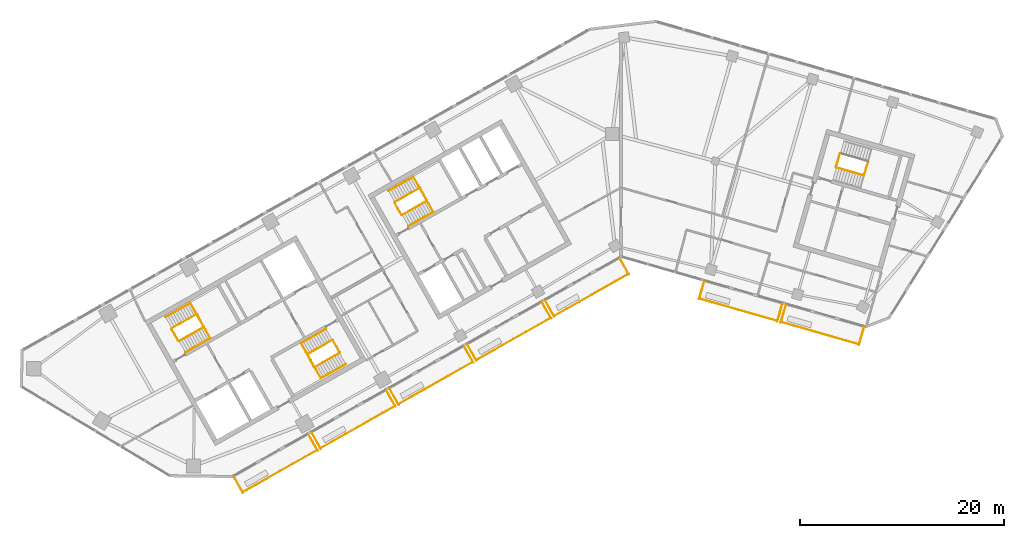
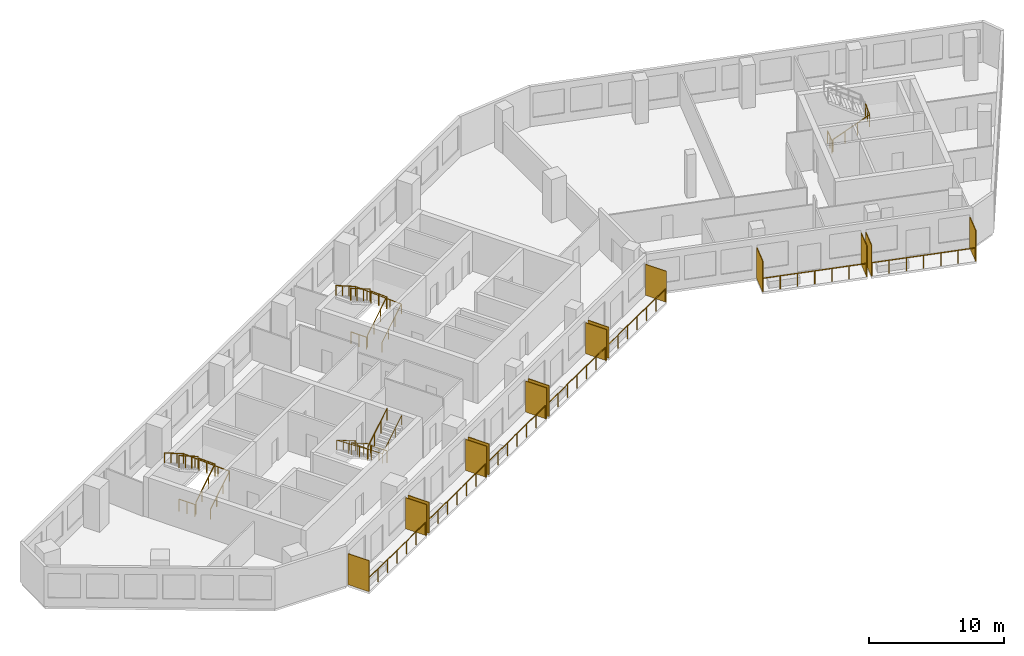
# One storey, part 10 of 12: 21 railings, 14 shading devices.
"""IFC4 building model written with IfcOpenShell, lengths in metres."""

import ifcopenshell
import ifcopenshell.guid

model = None  # the IFC model being written
_history = None  # IfcOwnerHistory: only IFC2X3 demands one
_inside = {}  # id of a spatial element -> (the spatial element, [elements in it])
_under = {}  # id of a project, library or spatial element -> (it, [spatial elements below it])
_declared = {}  # id of a project -> (the project, [libraries it declares])
_typed = {}  # id of a type object -> (the type object, [elements of that type])
_made_of = {}  # id of a material, layer set ... -> (it, [elements and type objects made of it])


def new_model(schema):
    """Start an empty IFC model of exactly this schema.

    Asked for "IFC4X3", IfcOpenShell would pick the latest addendum, in which some entities
    have other attributes; the version numbers below select the first issue.
    IFC2X3 requires an IfcOwnerHistory on every rooted entity: one is made here for all.
    """
    global model, _history
    if schema == "IFC4X3":
        model = ifcopenshell.file(schema_version=(4, 3, 0, 0))
    else:
        model = ifcopenshell.file(schema=schema)
    _inside.clear()
    _under.clear()
    _declared.clear()
    _typed.clear()
    _made_of.clear()
    _history = None
    if model.schema == "IFC2X3":
        org = make("IfcOrganization", Name="unknown")
        user = make(
            "IfcPersonAndOrganization",
            ThePerson=make("IfcPerson", FamilyName="unknown"),
            TheOrganization=org,
        )
        app = make(
            "IfcApplication",
            ApplicationDeveloper=org,
            Version="unknown",
            ApplicationFullName="unknown",
            ApplicationIdentifier="unknown",
        )
        _history = make(
            "IfcOwnerHistory",
            OwningUser=user,
            OwningApplication=app,
            ChangeAction="ADDED",
            CreationDate=0,
        )
    return model


def make(cls, **values):
    """One entity of the class cls with the attributes given. An attribute that is None is left unset."""
    return model.create_entity(
        cls, **{name: value for name, value in values.items() if value is not None}
    )


def rooted(cls, **values):
    """An entity with a GlobalId (a new one), such as an element, a storey or a relation."""
    return make(cls, GlobalId=ifcopenshell.guid.new(), OwnerHistory=_history, **values)


def si_unit(unit_type, name, prefix=None):
    """IfcSIUnit, for example si_unit("LENGTHUNIT", "METRE", prefix="MILLI")."""
    return make("IfcSIUnit", UnitType=unit_type, Prefix=prefix, Name=name)


def assignment(units):
    """IfcUnitAssignment: the units of a project."""
    return None if units is None else make("IfcUnitAssignment", Units=units)


def point(xyz):
    """IfcCartesianPoint."""
    return None if xyz is None else make("IfcCartesianPoint", Coordinates=xyz)


def direction(xyz):
    """IfcDirection."""
    return None if xyz is None else make("IfcDirection", DirectionRatios=xyz)


def frame(location, z_axis=None, x_axis=None):
    """IfcAxis2Placement3D, a coordinate frame: its origin and axes. An axis left out is left unset."""
    return make(
        "IfcAxis2Placement3D",
        Location=point(location),
        Axis=direction(z_axis),
        RefDirection=direction(x_axis),
    )


def frame_2d(location, x_axis=None):
    """IfcAxis2Placement2D, a coordinate frame in the plane: its origin and x axis."""
    return make(
        "IfcAxis2Placement2D", Location=point(location), RefDirection=direction(x_axis)
    )


def origin():
    """The frame at (0, 0, 0) with its axes left unset."""
    return frame((0.0, 0.0, 0.0))


def origin_2d():
    """The frame at (0, 0) in the plane with its x axis left unset."""
    return frame_2d((0.0, 0.0))


def place(relative_to, where):
    """IfcLocalPlacement: puts the frame where relative to a parent placement (None: the world)."""
    return make(
        "IfcLocalPlacement", PlacementRelTo=relative_to, RelativePlacement=where
    )


def context(
    kind, dimensions, precision=None, world=None, true_north=None, identifier=None
):
    """IfcGeometricRepresentationContext, for example the 3D "Model" context."""
    return make(
        "IfcGeometricRepresentationContext",
        ContextIdentifier=identifier,
        ContextType=kind,
        CoordinateSpaceDimension=dimensions,
        Precision=precision,
        WorldCoordinateSystem=world,
        TrueNorth=true_north,
    )


def subcontext(parent, identifier, kind, view, scale=None):
    """IfcGeometricRepresentationSubContext, for example "Body" below "Model"."""
    return make(
        "IfcGeometricRepresentationSubContext",
        ContextIdentifier=identifier,
        ContextType=kind,
        ParentContext=parent,
        TargetScale=scale,
        TargetView=view,
    )


def project(units=None, contexts=None):
    """IfcProject with its units and contexts."""
    return rooted(
        "IfcProject",
        Name="project",
        RepresentationContexts=contexts,
        UnitsInContext=assignment(units),
    )


def spatial(cls, under=None, at=None, **own):
    """A site, building, storey or space (cls), placed at a placement, below another one or the project."""
    s = rooted(cls, ObjectPlacement=at, **own)
    if under is not None:
        _under.setdefault(under.id(), (under, []))[1].append(s)
    return s


def profile(cls, at=None, kind="AREA", **sizes):
    """A parametric profile (cls). Its sizes go by their IFC names, for example OverallWidth=200.0."""
    return make(cls, ProfileType=kind, Position=at, **sizes)


def rectangle(**sizes):
    """IfcRectangleProfileDef."""
    return profile("IfcRectangleProfileDef", **sizes)


def circle(**sizes):
    """IfcCircleProfileDef."""
    return profile("IfcCircleProfileDef", **sizes)


def extrude(swept, where, along, depth):
    """IfcExtrudedAreaSolid: the profile swept, set in the frame where, extruded along a direction by depth."""
    return make(
        "IfcExtrudedAreaSolid",
        SweptArea=swept,
        Position=where,
        ExtrudedDirection=direction(along),
        Depth=depth,
    )


def shape(context_of_items, identifier, shape_type, items):
    """IfcShapeRepresentation: the items that make up one representation, for example the "Body"."""
    return make(
        "IfcShapeRepresentation",
        ContextOfItems=context_of_items,
        RepresentationIdentifier=identifier,
        RepresentationType=shape_type,
        Items=items,
    )


def material(Name=None, Category=None):
    """IfcMaterial."""
    return make("IfcMaterial", Name=Name, Category=Category)


def layer(
    of_material, thickness, ventilated=None, Name=None, Category=None, Priority=None
):
    """IfcMaterialLayer: one layer of a wall or slab, of a material (None: an air gap)."""
    return make(
        "IfcMaterialLayer",
        Material=of_material,
        LayerThickness=thickness,
        IsVentilated=ventilated,
        Name=Name,
        Category=Category,
        Priority=Priority,
    )


def layer_set(layers, Name=None):
    """IfcMaterialLayerSet."""
    return make("IfcMaterialLayerSet", MaterialLayers=layers, LayerSetName=Name)


def made_of(thing, what):
    """Note that an element or type object is made of a material, layer set ...; save() writes the relation."""
    if what is not None:
        _made_of.setdefault(what.id(), (what, []))[1].append(thing)
    return thing


def type_object(cls, material=None, **own):
    """A type object (cls), such as IfcWallType, which elements share."""
    return made_of(rooted(cls, **own), material)


def element(
    cls,
    number,
    at=None,
    inside=None,
    cuts=None,
    type_object=None,
    material=None,
    context=None,
    identifier="Body",
    shape_type=None,
    held_by="IfcProductDefinitionShape",
    body=None,
    shapes=None,
    **own,
):
    """One element of the class cls, such as IfcWall. Its Tag is "e" and its number.

    at: its placement. inside: the storey or other place that contains it. cuts: it is an
    opening in that element (IfcRelVoidsElement). A single representation is given by context,
    identifier, shape_type and body (its items); several are given by shapes. held_by: the class
    of the entity that holds the representations. save() writes the other relations.
    """
    e = rooted(cls, Tag="e%d" % number, ObjectPlacement=at, **own)
    if body is not None:
        shapes = [shape(context, identifier, shape_type, body)]
    if shapes is not None:
        e.Representation = make(held_by, Representations=shapes)
    if inside is not None:
        _inside.setdefault(inside.id(), (inside, []))[1].append(e)
    if cuts is not None:
        rooted(
            "IfcRelVoidsElement", RelatingBuildingElement=cuts, RelatedOpeningElement=e
        )
    if type_object is not None:
        _typed.setdefault(type_object.id(), (type_object, []))[1].append(e)
    return made_of(e, material)


def aggregate(whole, parts):
    """IfcRelAggregates: a whole, such as a stair, and the parts it consists of."""
    return rooted("IfcRelAggregates", RelatingObject=whole, RelatedObjects=parts)


def save(model, path):
    """Write the relations noted so far, then the file.

    IfcRelAggregates (storeys below a building ...), IfcRelContainedInSpatialStructure (elements
    in a storey), IfcRelDefinesByType, IfcRelAssociatesMaterial and IfcRelDeclares: one each for
    every whole, place, type object, material and project.
    """
    for whole, parts in _under.values():
        aggregate(whole, parts)
    for where, things in _inside.values():
        rooted(
            "IfcRelContainedInSpatialStructure",
            RelatedElements=things,
            RelatingStructure=where,
        )
    for kind, things in _typed.values():
        rooted("IfcRelDefinesByType", RelatedObjects=things, RelatingType=kind)
    for what, things in _made_of.values():
        rooted("IfcRelAssociatesMaterial", RelatedObjects=things, RelatingMaterial=what)
    for by, libraries in _declared.values():
        rooted("IfcRelDeclares", RelatingContext=by, RelatedDefinitions=libraries)
    model.write(path)


model = new_model("IFC4")

# Units and contexts
model_context = context("Model", 3, precision=1e-05, world=origin(), true_north=direction((0.0, 1.0)))
body_context = subcontext(model_context, "Body", "Model", "MODEL_VIEW")
ifc_project = project(units=[si_unit("LENGTHUNIT", "METRE"), si_unit("AREAUNIT", "SQUARE_METRE"), si_unit("VOLUMEUNIT", "CUBIC_METRE"), si_unit("PLANEANGLEUNIT", "RADIAN"), si_unit("MASSUNIT", "GRAM", prefix="KILO")], contexts=[model_context])

# Site, building, storey
site_placement = place(None, origin())
site = spatial("IfcSite", under=ifc_project, at=site_placement, CompositionType="ELEMENT")
building_placement = place(site_placement, origin())
building = spatial("IfcBuilding", under=site, at=building_placement, Name="Binnacle Exchange Tower", CompositionType="ELEMENT")
storey_placement = place(building_placement, frame((0.0, 0.0, 211.39990234375)))
storey = spatial("IfcBuildingStorey", under=building, at=storey_placement, Name="L46", CompositionType="ELEMENT", Elevation=211.39990234375)

# Railings
ifc_material_1 = material(Name="Bronze anodised aluminium frame", Category="aluminium")
railing_type_1 = type_object("IfcRailingType", Name="GUARD 1200", PredefinedType="GUARDRAIL", material=ifc_material_1)
railing_1_placement = place(storey_placement, frame((-37.006591796875, 24.94287109375, 0.0)))
element("IfcRailing", 1, at=railing_1_placement, inside=storey, type_object=railing_type_1, Name="Balcony guard G01-B00 L46", PredefinedType="GUARDRAIL", context=body_context, shape_type="SweptSolid", body=[
    extrude(circle(Radius=0.02392578125, at=origin_2d()), frame((0.0, 0.0, 1.17578125), z_axis=(0.870353267448, 0.492427852424, 0.0), x_axis=(-0.492427852424, 0.870353267448, 0.0)), (0.0, 0.0, 1.0), 8.334716796875),
    extrude(circle(Radius=0.02099609375, at=origin_2d()), origin(), (0.0, 0.0, 1.0), 1.15185546875),
    extrude(circle(Radius=0.02099609375, at=origin_2d()), frame((1.208984375, 0.68408203125, 0.0)), (0.0, 0.0, 1.0), 1.15185546875),
    extrude(circle(Radius=0.02099609375, at=origin_2d()), frame((2.41796875, 1.3681640625, 0.0)), (0.0, 0.0, 1.0), 1.15185546875),
    extrude(circle(Radius=0.02099609375, at=origin_2d()), frame((3.626953125, 2.05224609375, 0.0)), (0.0, 0.0, 1.0), 1.15185546875),
    extrude(circle(Radius=0.02099609375, at=origin_2d()), frame((4.836181640625, 2.736083984375, 0.0)), (0.0, 0.0, 1.0), 1.15185546875),
    extrude(circle(Radius=0.02099609375, at=origin_2d()), frame((6.045166015625, 3.420166015625, 0.0)), (0.0, 0.0, 1.0), 1.15185546875),
    extrude(circle(Radius=0.02099609375, at=origin_2d()), frame((7.254150390625, 4.104248046875, 0.0)), (0.0, 0.0, 1.0), 1.15185546875),
])
railing_2_placement = place(storey_placement, frame((-29.386962890625, 29.25390625, 0.0)))
element("IfcRailing", 2, at=railing_2_placement, inside=storey, type_object=railing_type_1, Name="Balcony guard G01-B01 L46", PredefinedType="GUARDRAIL", context=body_context, shape_type="SweptSolid", body=[
    extrude(circle(Radius=0.02392578125, at=origin_2d()), frame((0.0, 0.0, 1.17578125), z_axis=(0.870365821494, 0.492405662818, 0.0), x_axis=(-0.492405662818, 0.870365821494, 0.0)), (0.0, 0.0, 1.0), 8.334716796875),
    extrude(circle(Radius=0.02099609375, at=origin_2d()), origin(), (0.0, 0.0, 1.0), 1.15185546875),
    extrude(circle(Radius=0.02099609375, at=origin_2d()), frame((1.208984375, 0.68408203125, 0.0)), (0.0, 0.0, 1.0), 1.15185546875),
    extrude(circle(Radius=0.02099609375, at=origin_2d()), frame((2.41796875, 1.367919921875, 0.0)), (0.0, 0.0, 1.0), 1.15185546875),
    extrude(circle(Radius=0.02099609375, at=origin_2d()), frame((3.626953125, 2.052001953125, 0.0)), (0.0, 0.0, 1.0), 1.15185546875),
    extrude(circle(Radius=0.02099609375, at=origin_2d()), frame((4.836181640625, 2.736083984375, 0.0)), (0.0, 0.0, 1.0), 1.15185546875),
    extrude(circle(Radius=0.02099609375, at=origin_2d()), frame((6.045166015625, 3.419921875, 0.0)), (0.0, 0.0, 1.0), 1.15185546875),
    extrude(circle(Radius=0.02099609375, at=origin_2d()), frame((7.254150390625, 4.10400390625, 0.0)), (0.0, 0.0, 1.0), 1.15185546875),
])
for number, where, name in (
    (3, (-21.767333984375, 33.564697265625, 0.0), "Balcony guard G01-B02 L46"),
    (4, (-14.147705078125, 37.875732421875, 0.0), "Balcony guard G01-B03 L46"),
):
    element("IfcRailing", number, at=place(storey_placement, frame(where)), inside=storey, type_object=railing_type_1, Name=name, PredefinedType="GUARDRAIL", context=body_context, shape_type="SweptSolid", body=[
        extrude(circle(Radius=0.02392578125, at=origin_2d()), frame((0.0, 0.0, 1.17578125), z_axis=(0.8703461643, 0.49244040684, 0.0), x_axis=(-0.49244040684, 0.8703461643, 0.0)), (0.0, 0.0, 1.0), 8.33447265625),
        extrude(circle(Radius=0.02099609375, at=origin_2d()), origin(), (0.0, 0.0, 1.0), 1.15185546875),
        extrude(circle(Radius=0.02099609375, at=origin_2d()), frame((1.208984375, 0.68408203125, 0.0)), (0.0, 0.0, 1.0), 1.15185546875),
        extrude(circle(Radius=0.02099609375, at=origin_2d()), frame((2.41796875, 1.3681640625, 0.0)), (0.0, 0.0, 1.0), 1.15185546875),
        extrude(circle(Radius=0.02099609375, at=origin_2d()), frame((3.626953125, 2.05224609375, 0.0)), (0.0, 0.0, 1.0), 1.15185546875),
        extrude(circle(Radius=0.02099609375, at=origin_2d()), frame((4.8359375, 2.736083984375, 0.0)), (0.0, 0.0, 1.0), 1.15185546875),
        extrude(circle(Radius=0.02099609375, at=origin_2d()), frame((6.044921875, 3.420166015625, 0.0)), (0.0, 0.0, 1.0), 1.15185546875),
        extrude(circle(Radius=0.02099609375, at=origin_2d()), frame((7.25390625, 4.104248046875, 0.0)), (0.0, 0.0, 1.0), 1.15185546875),
    ])
railing_3_placement = place(storey_placement, frame((-6.5283203125, 42.186767578125, 0.0)))
element("IfcRailing", 5, at=railing_3_placement, inside=storey, type_object=railing_type_1, Name="Balcony guard G01-B04 L46", PredefinedType="GUARDRAIL", context=body_context, shape_type="SweptSolid", body=[
    extrude(circle(Radius=0.02392578125, at=origin_2d()), frame((0.0, 0.0, 1.17578125), z_axis=(0.870365821494, 0.492405662818, 0.0), x_axis=(-0.492405662818, 0.870365821494, 0.0)), (0.0, 0.0, 1.0), 8.334716796875),
    extrude(circle(Radius=0.02099609375, at=origin_2d()), origin(), (0.0, 0.0, 1.0), 1.15185546875),
    extrude(circle(Radius=0.02099609375, at=origin_2d()), frame((1.208984375, 0.68408203125, 0.0)), (0.0, 0.0, 1.0), 1.15185546875),
    extrude(circle(Radius=0.02099609375, at=origin_2d()), frame((2.41796875, 1.367919921875, 0.0)), (0.0, 0.0, 1.0), 1.15185546875),
    extrude(circle(Radius=0.02099609375, at=origin_2d()), frame((3.626953125, 2.052001953125, 0.0)), (0.0, 0.0, 1.0), 1.15185546875),
    extrude(circle(Radius=0.02099609375, at=origin_2d()), frame((4.836181640625, 2.736083984375, 0.0)), (0.0, 0.0, 1.0), 1.15185546875),
    extrude(circle(Radius=0.02099609375, at=origin_2d()), frame((6.045166015625, 3.419921875, 0.0)), (0.0, 0.0, 1.0), 1.15185546875),
    extrude(circle(Radius=0.02099609375, at=origin_2d()), frame((7.254150390625, 4.10400390625, 0.0)), (0.0, 0.0, 1.0), 1.15185546875),
])
railing_4_placement = place(storey_placement, frame((7.69140625, 43.875244140625, 0.0)))
element("IfcRailing", 6, at=railing_4_placement, inside=storey, type_object=railing_type_1, Name="Balcony guard G02-B01 L46", PredefinedType="GUARDRAIL", context=body_context, shape_type="SweptSolid", body=[
    extrude(circle(Radius=0.02392578125, at=origin_2d()), frame((0.0, 0.0, 1.17578125), z_axis=(0.961259965977, -0.275643388836, 0.0), x_axis=(0.275643388836, 0.961259965977, 0.0)), (0.0, 0.0, 1.0), 7.900634765625),
    extrude(circle(Radius=0.02099609375, at=origin_2d()), origin(), (0.0, 0.0, 1.0), 1.15185546875),
    extrude(circle(Radius=0.02099609375, at=origin_2d()), frame((1.265625, -0.363037109375, 0.0)), (0.0, 0.0, 1.0), 1.15185546875),
    extrude(circle(Radius=0.02099609375, at=origin_2d()), frame((2.531494140625, -0.725830078125, 0.0)), (0.0, 0.0, 1.0), 1.15185546875),
    extrude(circle(Radius=0.02099609375, at=origin_2d()), frame((3.79736328125, -1.0888671875, 0.0)), (0.0, 0.0, 1.0), 1.15185546875),
    extrude(circle(Radius=0.02099609375, at=origin_2d()), frame((5.06298828125, -1.451904296875, 0.0)), (0.0, 0.0, 1.0), 1.15185546875),
    extrude(circle(Radius=0.02099609375, at=origin_2d()), frame((6.32861328125, -1.814697265625, 0.0)), (0.0, 0.0, 1.0), 1.15185546875),
    extrude(circle(Radius=0.02099609375, at=origin_2d()), frame((7.594482421875, -2.177734375, 0.0)), (0.0, 0.0, 1.0), 1.15185546875),
])
railing_5_placement = place(storey_placement, frame((15.689453125, 41.581787109375, 0.0)))
element("IfcRailing", 7, at=railing_5_placement, inside=storey, type_object=railing_type_1, Name="Balcony guard G02-B02 L46", PredefinedType="GUARDRAIL", context=body_context, shape_type="SweptSolid", body=[
    extrude(circle(Radius=0.02392578125, at=origin_2d()), frame((0.0, 0.0, 1.17578125), z_axis=(0.961257617982, -0.275651576943, 0.0), x_axis=(0.275651576943, 0.961257617982, 0.0)), (0.0, 0.0, 1.0), 7.900390625),
    extrude(circle(Radius=0.02099609375, at=origin_2d()), origin(), (0.0, 0.0, 1.0), 1.15185546875),
    extrude(circle(Radius=0.02099609375, at=origin_2d()), frame((1.265625, -0.363037109375, 0.0)), (0.0, 0.0, 1.0), 1.15185546875),
    extrude(circle(Radius=0.02099609375, at=origin_2d()), frame((2.531494140625, -0.725830078125, 0.0)), (0.0, 0.0, 1.0), 1.15185546875),
    extrude(circle(Radius=0.02099609375, at=origin_2d()), frame((3.797119140625, -1.0888671875, 0.0)), (0.0, 0.0, 1.0), 1.15185546875),
    extrude(circle(Radius=0.02099609375, at=origin_2d()), frame((5.062744140625, -1.451904296875, 0.0)), (0.0, 0.0, 1.0), 1.15185546875),
    extrude(circle(Radius=0.02099609375, at=origin_2d()), frame((6.32861328125, -1.814697265625, 0.0)), (0.0, 0.0, 1.0), 1.15185546875),
    extrude(circle(Radius=0.02099609375, at=origin_2d()), frame((7.59423828125, -2.177734375, 0.0)), (0.0, 0.0, 1.0), 1.15185546875),
])

# Shading devices
ifc_material_2 = material(Name="Bronze aluminium louvre", Category="aluminium")
ifc_layer = layer(ifc_material_2, 0.06005859375)
ifc_layer_set = layer_set([ifc_layer], Name="PLANTED SCREEN 60x2800")
shading_device_type = type_object("IfcShadingDeviceType", Name="PLANTED SCREEN 60x2800", PredefinedType="USERDEFINED", material=ifc_layer_set)
for number, where, z_axis, x_axis, name in (
    (8, (-37.436279296875, 25.641845703125, 0.0), (0.0, 0.0, 1.0), (0.87035569594, 0.492423560103, 0.0), "Planted screen G01-B00a L46"),
    (9, (-30.130126953125, 29.775390625, 0.0), (0.0, 0.0, 1.0), (0.87035569594, 0.492423560103, 0.0), "Planted screen G01-B00b L46"),
    (10, (-29.81689453125, 29.95263671875, 0.0), (0.0, 0.0, 1.0), (0.87035569594, 0.492423560103, 0.0), "Planted screen G01-B01a L46"),
    (11, (-22.510498046875, 34.08642578125, 0.0), (0.0, 0.0, 1.0), (0.87035569594, 0.492423560103, 0.0), "Planted screen G01-B01b L46"),
    (12, (-22.197265625, 34.263671875, 0.0), (0.0, 0.0, 1.0), (0.87035569594, 0.492423560103, 0.0), "Planted screen G01-B02a L46"),
    (13, (-14.89111328125, 38.3974609375, 0.0), (0.0, 0.0, 1.0), (0.87035569594, 0.492423560103, 0.0), "Planted screen G01-B02b L46"),
    (14, (-14.57763671875, 38.57470703125, 0.0), (0.0, 0.0, 1.0), (0.87035569594, 0.492423560103, 0.0), "Planted screen G01-B03a L46"),
    (15, (-7.271484375, 42.70849609375, 0.0), (0.0, 0.0, 1.0), (0.87035569594, 0.492423560103, 0.0), "Planted screen G01-B03b L46"),
    (16, (-6.9580078125, 42.885498046875, 0.0), (0.0, 0.0, 1.0), (0.87035569594, 0.492423560103, 0.0), "Planted screen G01-B04a L46"),
    (17, (0.34814453125, 47.019287109375, 0.0), (0.0, 0.0, 1.0), (0.87035569594, 0.492423560103, 0.0), "Planted screen G01-B04b L46"),
    (18, (7.888671875, 44.671630859375, 0.0), (0.0, 0.0, 1.0), (0.961261695938, -0.275637355817, 0.0), "Planted screen G02-B01a L46"),
    (19, (15.54052734375, 42.4775390625, 0.0), (0.0, 0.0, 1.0), (0.961261695938, -0.275637355817, 0.0), "Planted screen G02-B01b L46"),
    (20, (15.88671875, 42.37841796875, 0.0), (0.0, 0.0, 1.0), (0.961261695938, -0.275637355817, 0.0), "Planted screen G02-B02a L46"),
    (21, (23.538818359375, 40.18408203125, 0.0), (0.0, 0.0, 1.0), (0.961261695938, -0.275637355817, 0.0), "Planted screen G02-B02b L46"),
):
    element("IfcShadingDevice", number, at=place(storey_placement, frame(where, z_axis=z_axis, x_axis=x_axis)), inside=storey, type_object=shading_device_type, Name=name, ObjectType="SCREEN", PredefinedType="USERDEFINED", context=body_context, shape_type="SweptSolid", body=[
        extrude(rectangle(XDim=0.06005859375, YDim=1.800048828125, at=origin_2d()), origin(), (0.0, 0.0, 1.0), 2.800048828125),
    ])

# Railings
ifc_material_3 = material(Name="Steel guard rail", Category="steel")
railing_type_2 = type_object("IfcRailingType", Name="STAIR GUARD 1100", PredefinedType="GUARDRAIL", material=ifc_material_3)
railing_6_placement = place(storey_placement, frame((-43.26171875, 39.71728515625, 0.177490234375)))
element("IfcRailing", 22, at=railing_6_placement, inside=storey, type_object=railing_type_2, Name="L46 STA1 stair guard 1", PredefinedType="GUARDRAIL", context=body_context, shape_type="SweptSolid", body=[
    extrude(circle(Radius=0.02392578125, at=origin_2d()), frame((0.0, 0.0, 1.076171875), z_axis=(0.735358749054, 0.416079564682, 0.534906819964), x_axis=(-0.492453686477, 0.870338650569, 0.0)), (0.0, 0.0, 1.0), 3.31396484375),
    extrude(circle(Radius=0.02392578125, at=origin_2d()), frame((2.43701171875, 1.37890625, 2.8486328125), z_axis=(-0.461100321709, 0.887348011391, 0.0), x_axis=(-0.887348011391, -0.461100321709, 0.0)), (0.0, 0.0, 1.0), 1.40087890625),
    extrude(circle(Radius=0.02099609375, at=origin_2d()), origin(), (0.0, 0.0, 1.0), 1.052001953125),
    extrude(circle(Radius=0.02099609375, at=origin_2d()), frame((0.812255859375, 0.459716796875, 0.5908203125)), (0.0, 0.0, 1.0), 1.052001953125),
    extrude(circle(Radius=0.02099609375, at=origin_2d()), frame((1.624755859375, 0.919189453125, 1.181884765625)), (0.0, 0.0, 1.0), 1.052001953125),
    extrude(circle(Radius=0.02099609375, at=origin_2d()), frame((2.43701171875, 1.37890625, 1.772705078125)), (0.0, 0.0, 1.0), 1.052001953125),
    extrude(circle(Radius=0.02099609375, at=origin_2d()), frame((2.114013671875, 2.00048828125, 1.772705078125)), (0.0, 0.0, 1.0), 1.052001953125),
    extrude(circle(Radius=0.02099609375, at=origin_2d()), frame((1.791015625, 2.6220703125, 1.772705078125)), (0.0, 0.0, 1.0), 1.052001953125),
])
railing_7_placement = place(storey_placement, frame((-41.538818359375, 42.358154296875, 2.12744140625)))
element("IfcRailing", 23, at=railing_7_placement, inside=storey, type_object=railing_type_2, Name="L46 STA1 stair guard 2", PredefinedType="GUARDRAIL", context=body_context, shape_type="SweptSolid", body=[
    extrude(circle(Radius=0.02392578125, at=origin_2d()), frame((0.0, 0.0, 1.076171875), z_axis=(-0.735358749054, -0.416079564682, 0.534906819964), x_axis=(0.492453686477, -0.870338650569, 0.0)), (0.0, 0.0, 1.0), 3.31396484375),
    extrude(circle(Radius=0.02099609375, at=origin_2d()), origin(), (0.0, 0.0, 1.0), 1.052001953125),
    extrude(circle(Radius=0.02099609375, at=origin_2d()), frame((-0.812255859375, -0.459716796875, 0.5908203125)), (0.0, 0.0, 1.0), 1.052001953125),
    extrude(circle(Radius=0.02099609375, at=origin_2d()), frame((-1.624755859375, -0.919189453125, 1.181884765625)), (0.0, 0.0, 1.0), 1.052001953125),
    extrude(circle(Radius=0.02099609375, at=origin_2d()), frame((-2.43701171875, -1.37890625, 1.772705078125)), (0.0, 0.0, 1.0), 1.052001953125),
])
railing_8_placement = place(storey_placement, frame((-43.329833984375, 39.736328125, 0.0)))
element("IfcRailing", 24, at=railing_8_placement, inside=storey, type_object=railing_type_2, Name="L46 STA1 stair guard 3", PredefinedType="GUARDRAIL", context=body_context, shape_type="SweptSolid", body=[
    extrude(circle(Radius=0.02392578125, at=origin_2d()), frame((0.0, 0.0, 1.076171875), z_axis=(-0.4924922531, 0.870316827734, 0.0), x_axis=(-0.870316827734, -0.4924922531, 0.0)), (0.0, 0.0, 1.0), 1.349853515625),
    extrude(circle(Radius=0.02099609375, at=origin_2d()), origin(), (0.0, 0.0, 1.0), 1.052001953125),
    extrude(circle(Radius=0.02099609375, at=origin_2d()), frame((-0.33251953125, 0.58740234375, 0.0)), (0.0, 0.0, 1.0), 1.052001953125),
    extrude(circle(Radius=0.02099609375, at=origin_2d()), frame((-0.664794921875, 1.1748046875, 0.0)), (0.0, 0.0, 1.0), 1.052001953125),
])
railing_9_placement = place(storey_placement, frame((-28.265380859375, 39.814453125, 0.177490234375)))
element("IfcRailing", 25, at=railing_9_placement, inside=storey, type_object=railing_type_2, Name="L46 STA2 stair guard 1", PredefinedType="GUARDRAIL", context=body_context, shape_type="SweptSolid", body=[
    extrude(circle(Radius=0.02392578125, at=origin_2d()), frame((0.0, 0.0, 1.076171875), z_axis=(-0.735381288273, -0.416018647052, 0.534923215202), x_axis=(0.492387636113, -0.870376019777, 0.0)), (0.0, 0.0, 1.0), 3.31396484375),
    extrude(circle(Radius=0.02392578125, at=origin_2d()), frame((-2.43701171875, -1.378662109375, 2.8486328125), z_axis=(0.460963092712, -0.887419307406, 0.0), x_axis=(0.887419307406, 0.460963092712, 0.0)), (0.0, 0.0, 1.0), 1.40087890625),
    extrude(circle(Radius=0.02099609375, at=origin_2d()), origin(), (0.0, 0.0, 1.0), 1.052001953125),
    extrude(circle(Radius=0.02099609375, at=origin_2d()), frame((-0.812255859375, -0.45947265625, 0.5908203125)), (0.0, 0.0, 1.0), 1.052001953125),
    extrude(circle(Radius=0.02099609375, at=origin_2d()), frame((-1.624755859375, -0.919189453125, 1.181884765625)), (0.0, 0.0, 1.0), 1.052001953125),
    extrude(circle(Radius=0.02099609375, at=origin_2d()), frame((-2.43701171875, -1.378662109375, 1.772705078125)), (0.0, 0.0, 1.0), 1.052001953125),
    extrude(circle(Radius=0.02099609375, at=origin_2d()), frame((-2.1142578125, -2.000244140625, 1.772705078125)), (0.0, 0.0, 1.0), 1.052001953125),
    extrude(circle(Radius=0.02099609375, at=origin_2d()), frame((-1.791259765625, -2.621826171875, 1.772705078125)), (0.0, 0.0, 1.0), 1.052001953125),
])
railing_10_placement = place(storey_placement, frame((-29.988525390625, 37.173583984375, 2.12744140625)))
element("IfcRailing", 26, at=railing_10_placement, inside=storey, type_object=railing_type_2, Name="L46 STA2 stair guard 2", PredefinedType="GUARDRAIL", context=body_context, shape_type="SweptSolid", body=[
    extrude(circle(Radius=0.02392578125, at=origin_2d()), frame((0.0, 0.0, 1.076171875), z_axis=(0.735358749054, 0.416079564682, 0.534906819964), x_axis=(-0.492453686477, 0.870338650569, 0.0)), (0.0, 0.0, 1.0), 3.31396484375),
    extrude(circle(Radius=0.02099609375, at=origin_2d()), origin(), (0.0, 0.0, 1.0), 1.052001953125),
    extrude(circle(Radius=0.02099609375, at=origin_2d()), frame((0.812255859375, 0.459716796875, 0.5908203125)), (0.0, 0.0, 1.0), 1.052001953125),
    extrude(circle(Radius=0.02099609375, at=origin_2d()), frame((1.624755859375, 0.919189453125, 1.181884765625)), (0.0, 0.0, 1.0), 1.052001953125),
    extrude(circle(Radius=0.02099609375, at=origin_2d()), frame((2.43701171875, 1.37890625, 1.772705078125)), (0.0, 0.0, 1.0), 1.052001953125),
])
railing_11_placement = place(storey_placement, frame((-28.197265625, 39.795654296875, 0.0)))
element("IfcRailing", 27, at=railing_11_placement, inside=storey, type_object=railing_type_2, Name="L46 STA2 stair guard 3", PredefinedType="GUARDRAIL", context=body_context, shape_type="SweptSolid", body=[
    extrude(circle(Radius=0.02392578125, at=origin_2d()), frame((0.0, 0.0, 1.076171875), z_axis=(0.49241474071, -0.870360685654, 0.0), x_axis=(0.870360685654, 0.49241474071, 0.0)), (0.0, 0.0, 1.0), 1.35009765625),
    extrude(circle(Radius=0.02099609375, at=origin_2d()), origin(), (0.0, 0.0, 1.0), 1.052001953125),
    extrude(circle(Radius=0.02099609375, at=origin_2d()), frame((0.33251953125, -0.58740234375, 0.0)), (0.0, 0.0, 1.0), 1.052001953125),
    extrude(circle(Radius=0.02099609375, at=origin_2d()), frame((0.664794921875, -1.175048828125, 0.0)), (0.0, 0.0, 1.0), 1.052001953125),
])
railing_12_placement = place(storey_placement, frame((-21.423828125, 52.07275390625, 0.177490234375)))
element("IfcRailing", 28, at=railing_12_placement, inside=storey, type_object=railing_type_2, Name="L46 STC1 stair guard 1", PredefinedType="GUARDRAIL", context=body_context, shape_type="SweptSolid", body=[
    extrude(circle(Radius=0.02392578125, at=origin_2d()), frame((0.0, 0.0, 1.076171875), z_axis=(0.735381288273, 0.416018647052, 0.534923215202), x_axis=(-0.492387636113, 0.870376019777, 0.0)), (0.0, 0.0, 1.0), 3.31396484375),
    extrude(circle(Radius=0.02392578125, at=origin_2d()), frame((2.43701171875, 1.378662109375, 2.8486328125), z_axis=(-0.460963092712, 0.887419307406, 0.0), x_axis=(-0.887419307406, -0.460963092712, 0.0)), (0.0, 0.0, 1.0), 1.40087890625),
    extrude(circle(Radius=0.02099609375, at=origin_2d()), origin(), (0.0, 0.0, 1.0), 1.052001953125),
    extrude(circle(Radius=0.02099609375, at=origin_2d()), frame((0.812255859375, 0.45947265625, 0.5908203125)), (0.0, 0.0, 1.0), 1.052001953125),
    extrude(circle(Radius=0.02099609375, at=origin_2d()), frame((1.624755859375, 0.919189453125, 1.181884765625)), (0.0, 0.0, 1.0), 1.052001953125),
    extrude(circle(Radius=0.02099609375, at=origin_2d()), frame((2.43701171875, 1.378662109375, 1.772705078125)), (0.0, 0.0, 1.0), 1.052001953125),
    extrude(circle(Radius=0.02099609375, at=origin_2d()), frame((2.1142578125, 2.000244140625, 1.772705078125)), (0.0, 0.0, 1.0), 1.052001953125),
    extrude(circle(Radius=0.02099609375, at=origin_2d()), frame((1.791259765625, 2.621826171875, 1.772705078125)), (0.0, 0.0, 1.0), 1.052001953125),
])
railing_13_placement = place(storey_placement, frame((-19.70068359375, 54.71337890625, 2.12744140625)))
element("IfcRailing", 29, at=railing_13_placement, inside=storey, type_object=railing_type_2, Name="L46 STC1 stair guard 2", PredefinedType="GUARDRAIL", context=body_context, shape_type="SweptSolid", body=[
    extrude(circle(Radius=0.02392578125, at=origin_2d()), frame((0.0, 0.0, 1.076171875), z_axis=(-0.735381288273, -0.416018647052, 0.534923215202), x_axis=(0.492387636113, -0.870376019777, 0.0)), (0.0, 0.0, 1.0), 3.31396484375),
    extrude(circle(Radius=0.02099609375, at=origin_2d()), origin(), (0.0, 0.0, 1.0), 1.052001953125),
    extrude(circle(Radius=0.02099609375, at=origin_2d()), frame((-0.812255859375, -0.45947265625, 0.5908203125)), (0.0, 0.0, 1.0), 1.052001953125),
    extrude(circle(Radius=0.02099609375, at=origin_2d()), frame((-1.624755859375, -0.919189453125, 1.181884765625)), (0.0, 0.0, 1.0), 1.052001953125),
    extrude(circle(Radius=0.02099609375, at=origin_2d()), frame((-2.43701171875, -1.378662109375, 1.772705078125)), (0.0, 0.0, 1.0), 1.052001953125),
])
railing_14_placement = place(storey_placement, frame((-21.491943359375, 52.091552734375, 0.0)))
element("IfcRailing", 30, at=railing_14_placement, inside=storey, type_object=railing_type_2, Name="L46 STC1 stair guard 3", PredefinedType="GUARDRAIL", context=body_context, shape_type="SweptSolid", body=[
    extrude(circle(Radius=0.02392578125, at=origin_2d()), frame((0.0, 0.0, 1.076171875), z_axis=(-0.49241474071, 0.870360685654, 0.0), x_axis=(-0.870360685654, -0.49241474071, 0.0)), (0.0, 0.0, 1.0), 1.35009765625),
    extrude(circle(Radius=0.02099609375, at=origin_2d()), origin(), (0.0, 0.0, 1.0), 1.052001953125),
    extrude(circle(Radius=0.02099609375, at=origin_2d()), frame((-0.33251953125, 0.58740234375, 0.0)), (0.0, 0.0, 1.0), 1.052001953125),
    extrude(circle(Radius=0.02099609375, at=origin_2d()), frame((-0.664794921875, 1.175048828125, 0.0)), (0.0, 0.0, 1.0), 1.052001953125),
])
railing_15_placement = place(storey_placement, frame((21.086669921875, 56.71044921875, 0.177490234375)))
element("IfcRailing", 31, at=railing_15_placement, inside=storey, type_object=railing_type_2, Name="L46 STD1 stair guard 1", PredefinedType="GUARDRAIL", context=body_context, shape_type="SweptSolid", body=[
    extrude(circle(Radius=0.02392578125, at=origin_2d()), frame((0.0, 0.0, 1.076171875), z_axis=(0.81215085225, -0.232948203448, 0.534926282491), x_axis=(0.275711388614, 0.96124046429, 0.0)), (0.0, 0.0, 1.0), 3.31396484375),
    extrude(circle(Radius=0.02392578125, at=origin_2d()), frame((2.69140625, -0.77197265625, 2.8486328125), z_axis=(0.309842533299, 0.950787886208, 0.0), x_axis=(-0.950787886208, 0.309842533299, 0.0)), (0.0, 0.0, 1.0), 1.40087890625),
    extrude(circle(Radius=0.02099609375, at=origin_2d()), origin(), (0.0, 0.0, 1.0), 1.052001953125),
    extrude(circle(Radius=0.02099609375, at=origin_2d()), frame((0.897216796875, -0.25732421875, 0.5908203125)), (0.0, 0.0, 1.0), 1.052001953125),
    extrude(circle(Radius=0.02099609375, at=origin_2d()), frame((1.794189453125, -0.5146484375, 1.181884765625)), (0.0, 0.0, 1.0), 1.052001953125),
    extrude(circle(Radius=0.02099609375, at=origin_2d()), frame((2.69140625, -0.77197265625, 1.772705078125)), (0.0, 0.0, 1.0), 1.052001953125),
    extrude(circle(Radius=0.02099609375, at=origin_2d()), frame((2.908447265625, -0.10595703125, 1.772705078125)), (0.0, 0.0, 1.0), 1.052001953125),
    extrude(circle(Radius=0.02099609375, at=origin_2d()), frame((3.12548828125, 0.56005859375, 1.772705078125)), (0.0, 0.0, 1.0), 1.052001953125),
])
railing_16_placement = place(storey_placement, frame((21.05224609375, 56.772216796875, 0.0)))
element("IfcRailing", 32, at=railing_16_placement, inside=storey, type_object=railing_type_2, Name="L46 STD1 stair guard 3", PredefinedType="GUARDRAIL", context=body_context, shape_type="SweptSolid", body=[
    extrude(circle(Radius=0.02392578125, at=origin_2d()), frame((0.0, 0.0, 1.076171875), z_axis=(0.275795817769, 0.961216243569, 0.0), x_axis=(-0.961216243569, 0.275795817769, 0.0)), (0.0, 0.0, 1.0), 1.349853515625),
    extrude(circle(Radius=0.02099609375, at=origin_2d()), origin(), (0.0, 0.0, 1.0), 1.052001953125),
    extrude(circle(Radius=0.02099609375, at=origin_2d()), frame((0.18603515625, 0.64892578125, 0.0)), (0.0, 0.0, 1.0), 1.052001953125),
    extrude(circle(Radius=0.02099609375, at=origin_2d()), frame((0.372314453125, 1.297607421875, 0.0)), (0.0, 0.0, 1.0), 1.052001953125),
])
ifc_material_4 = material(Name="Steel handrail", Category="steel")
railing_type_3 = type_object("IfcRailingType", Name="STAIR HANDRAIL 900", PredefinedType="HANDRAIL", material=ifc_material_4)
railing_17_placement = place(storey_placement, frame((-42.646240234375, 38.62939453125, 0.177490234375)))
element("IfcRailing", 33, at=railing_17_placement, inside=storey, type_object=railing_type_3, Name="L46 STA1 stair handrail 1", PredefinedType="HANDRAIL", context=body_context, shape_type="SweptSolid", body=[
    extrude(circle(Radius=0.02392578125, at=origin_2d()), frame((0.0, 0.0, 0.8759765625), z_axis=(0.735381288273, 0.416018647052, 0.534923215202), x_axis=(-0.492387636113, 0.870376019777, 0.0)), (0.0, 0.0, 1.0), 3.31396484375),
    extrude(circle(Radius=0.02392578125, at=origin_2d()), frame((2.43701171875, 1.378662109375, 2.6484375), z_axis=(-0.491918640963, 0.869486419234, 0.044826526087), x_axis=(-0.870361318571, -0.492413622004, 0.0)), (0.0, 0.0, 1.0), 3.9541015625),
    extrude(circle(Radius=0.02392578125, at=origin_2d()), frame((0.491943359375, 4.816650390625, 2.82568359375), z_axis=(-0.735381288273, -0.416018647052, 0.534923215202), x_axis=(0.492387636113, -0.870376019777, 0.0)), (0.0, 0.0, 1.0), 3.31396484375),
    extrude(circle(Radius=0.02099609375, at=origin_2d()), origin(), (0.0, 0.0, 1.0), 0.851806640625),
    extrude(circle(Radius=0.02099609375, at=origin_2d()), frame((0.812255859375, 0.45947265625, 0.5908203125)), (0.0, 0.0, 1.0), 0.851806640625),
    extrude(circle(Radius=0.02099609375, at=origin_2d()), frame((1.624755859375, 0.919189453125, 1.181884765625)), (0.0, 0.0, 1.0), 0.851806640625),
    extrude(circle(Radius=0.02099609375, at=origin_2d()), frame((2.43701171875, 1.378662109375, 1.772705078125)), (0.0, 0.0, 1.0), 0.851806640625),
    extrude(circle(Radius=0.02099609375, at=origin_2d()), frame((1.95068359375, 2.23828125, 1.81689453125)), (0.0, 0.0, 1.0), 0.851806640625),
    extrude(circle(Radius=0.02099609375, at=origin_2d()), frame((1.46435546875, 3.09765625, 1.861328125)), (0.0, 0.0, 1.0), 0.851806640625),
    extrude(circle(Radius=0.02099609375, at=origin_2d()), frame((0.978271484375, 3.95703125, 1.90576171875)), (0.0, 0.0, 1.0), 0.851806640625),
    extrude(circle(Radius=0.02099609375, at=origin_2d()), frame((0.491943359375, 4.816650390625, 1.949951171875)), (0.0, 0.0, 1.0), 0.851806640625),
    extrude(circle(Radius=0.02099609375, at=origin_2d()), frame((-0.3203125, 4.357177734375, 2.540771484375)), (0.0, 0.0, 1.0), 0.851806640625),
    extrude(circle(Radius=0.02099609375, at=origin_2d()), frame((-1.1328125, 3.8974609375, 3.1318359375)), (0.0, 0.0, 1.0), 0.851806640625),
    extrude(circle(Radius=0.02099609375, at=origin_2d()), frame((-1.945068359375, 3.43798828125, 3.72265625)), (0.0, 0.0, 1.0), 0.851806640625),
])
railing_18_placement = place(storey_placement, frame((-28.880859375, 40.90234375, 0.177490234375)))
element("IfcRailing", 34, at=railing_18_placement, inside=storey, type_object=railing_type_3, Name="L46 STA2 stair handrail 1", PredefinedType="HANDRAIL", context=body_context, shape_type="SweptSolid", body=[
    extrude(circle(Radius=0.02392578125, at=origin_2d()), frame((0.0, 0.0, 0.8759765625), z_axis=(-0.735381288273, -0.416018647052, 0.534923215202), x_axis=(0.492387636113, -0.870376019777, 0.0)), (0.0, 0.0, 1.0), 3.31396484375),
    extrude(circle(Radius=0.02392578125, at=origin_2d()), frame((-2.43701171875, -1.378662109375, 2.6484375), z_axis=(0.491918640963, -0.869486419234, 0.044826526087), x_axis=(0.870361318571, 0.492413622004, 0.0)), (0.0, 0.0, 1.0), 3.9541015625),
    extrude(circle(Radius=0.02392578125, at=origin_2d()), frame((-0.491943359375, -4.816650390625, 2.82568359375), z_axis=(0.735358749054, 0.416079564682, 0.534906819964), x_axis=(-0.492453686477, 0.870338650569, 0.0)), (0.0, 0.0, 1.0), 3.31396484375),
    extrude(circle(Radius=0.02099609375, at=origin_2d()), origin(), (0.0, 0.0, 1.0), 0.851806640625),
    extrude(circle(Radius=0.02099609375, at=origin_2d()), frame((-0.812255859375, -0.45947265625, 0.5908203125)), (0.0, 0.0, 1.0), 0.851806640625),
    extrude(circle(Radius=0.02099609375, at=origin_2d()), frame((-1.624755859375, -0.919189453125, 1.181884765625)), (0.0, 0.0, 1.0), 0.851806640625),
    extrude(circle(Radius=0.02099609375, at=origin_2d()), frame((-2.43701171875, -1.378662109375, 1.772705078125)), (0.0, 0.0, 1.0), 0.851806640625),
    extrude(circle(Radius=0.02099609375, at=origin_2d()), frame((-1.95068359375, -2.23828125, 1.81689453125)), (0.0, 0.0, 1.0), 0.851806640625),
    extrude(circle(Radius=0.02099609375, at=origin_2d()), frame((-1.46435546875, -3.09765625, 1.861328125)), (0.0, 0.0, 1.0), 0.851806640625),
    extrude(circle(Radius=0.02099609375, at=origin_2d()), frame((-0.978271484375, -3.95703125, 1.90576171875)), (0.0, 0.0, 1.0), 0.851806640625),
    extrude(circle(Radius=0.02099609375, at=origin_2d()), frame((-0.491943359375, -4.816650390625, 1.949951171875)), (0.0, 0.0, 1.0), 0.851806640625),
    extrude(circle(Radius=0.02099609375, at=origin_2d()), frame((0.3203125, -4.35693359375, 2.540771484375)), (0.0, 0.0, 1.0), 0.851806640625),
    extrude(circle(Radius=0.02099609375, at=origin_2d()), frame((1.1328125, -3.8974609375, 3.1318359375)), (0.0, 0.0, 1.0), 0.851806640625),
    extrude(circle(Radius=0.02099609375, at=origin_2d()), frame((1.945068359375, -3.437744140625, 3.72265625)), (0.0, 0.0, 1.0), 0.851806640625),
])
railing_19_placement = place(storey_placement, frame((-20.808349609375, 50.984619140625, 0.177490234375)))
element("IfcRailing", 35, at=railing_19_placement, inside=storey, type_object=railing_type_3, Name="L46 STC1 stair handrail 1", PredefinedType="HANDRAIL", context=body_context, shape_type="SweptSolid", body=[
    extrude(circle(Radius=0.02392578125, at=origin_2d()), frame((0.0, 0.0, 0.8759765625), z_axis=(0.735358749054, 0.416079564682, 0.534906819964), x_axis=(-0.492453686477, 0.870338650569, 0.0)), (0.0, 0.0, 1.0), 3.31396484375),
    extrude(circle(Radius=0.02392578125, at=origin_2d()), frame((2.43701171875, 1.37890625, 2.6484375), z_axis=(-0.491945051309, 0.869471352766, 0.044828932754), x_axis=(-0.87034633103, -0.492440112159, 0.0)), (0.0, 0.0, 1.0), 3.953857421875),
    extrude(circle(Radius=0.02392578125, at=origin_2d()), frame((0.491943359375, 4.816650390625, 2.82568359375), z_axis=(-0.735381288273, -0.416018647052, 0.534923215202), x_axis=(0.492387636113, -0.870376019777, 0.0)), (0.0, 0.0, 1.0), 3.31396484375),
    extrude(circle(Radius=0.02099609375, at=origin_2d()), origin(), (0.0, 0.0, 1.0), 0.851806640625),
    extrude(circle(Radius=0.02099609375, at=origin_2d()), frame((0.812255859375, 0.459716796875, 0.5908203125)), (0.0, 0.0, 1.0), 0.851806640625),
    extrude(circle(Radius=0.02099609375, at=origin_2d()), frame((1.624755859375, 0.919189453125, 1.181884765625)), (0.0, 0.0, 1.0), 0.851806640625),
    extrude(circle(Radius=0.02099609375, at=origin_2d()), frame((2.43701171875, 1.37890625, 1.772705078125)), (0.0, 0.0, 1.0), 0.851806640625),
    extrude(circle(Radius=0.02099609375, at=origin_2d()), frame((1.95068359375, 2.23828125, 1.81689453125)), (0.0, 0.0, 1.0), 0.851806640625),
    extrude(circle(Radius=0.02099609375, at=origin_2d()), frame((1.46435546875, 3.09765625, 1.861328125)), (0.0, 0.0, 1.0), 0.851806640625),
    extrude(circle(Radius=0.02099609375, at=origin_2d()), frame((0.978271484375, 3.957275390625, 1.90576171875)), (0.0, 0.0, 1.0), 0.851806640625),
    extrude(circle(Radius=0.02099609375, at=origin_2d()), frame((0.491943359375, 4.816650390625, 1.949951171875)), (0.0, 0.0, 1.0), 0.851806640625),
    extrude(circle(Radius=0.02099609375, at=origin_2d()), frame((-0.3203125, 4.357177734375, 2.540771484375)), (0.0, 0.0, 1.0), 0.851806640625),
    extrude(circle(Radius=0.02099609375, at=origin_2d()), frame((-1.1328125, 3.8974609375, 3.1318359375)), (0.0, 0.0, 1.0), 0.851806640625),
    extrude(circle(Radius=0.02099609375, at=origin_2d()), frame((-1.945068359375, 3.43798828125, 3.72265625)), (0.0, 0.0, 1.0), 0.851806640625),
])

save(model, "model.ifc")
